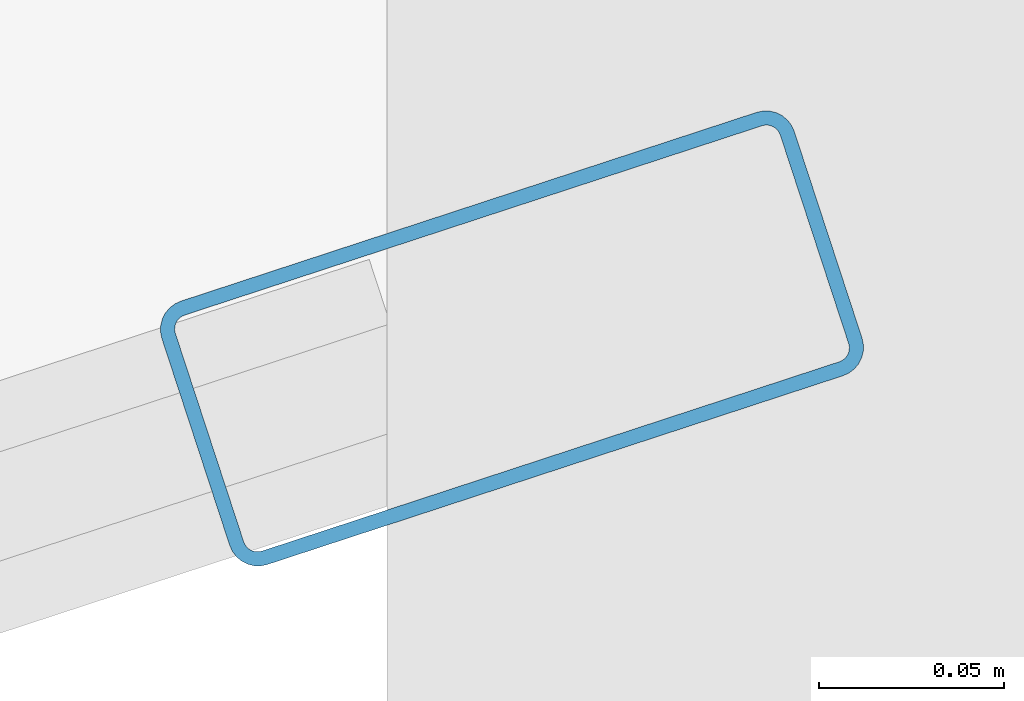
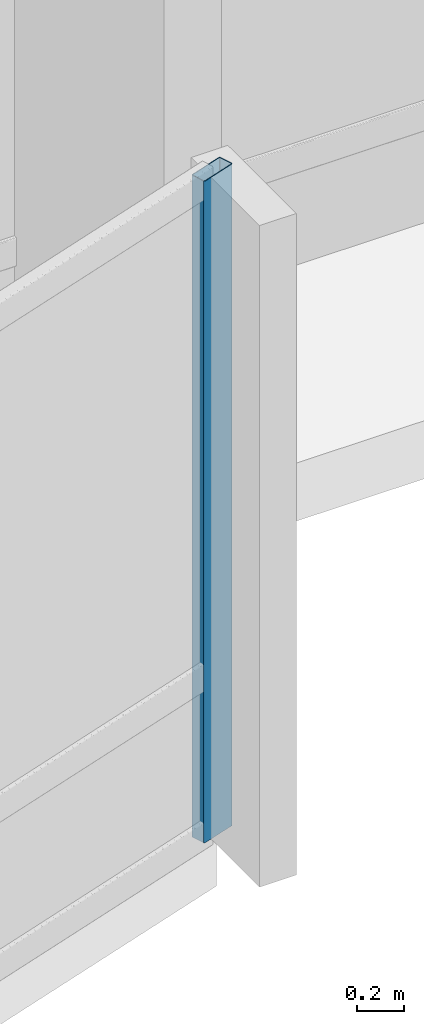
# One storey, part 10 of 34: 1 member, 1 element without a shape of its own.
"""IFC4 building model written with IfcOpenShell, lengths in metres."""

from ifc_helpers import new_model, si_unit, direction, frame, origin, origin_2d, place, context, subcontext, project, spatial, hollow_rectangle, extrude, material, layer, layer_set, material_profile, profile_set, type_object, element, aggregate, save


model = new_model("IFC4")

# Units and contexts
model_context = context("Model", 3, precision=1e-05, world=origin(), true_north=direction((0.0, 1.0)))
body_context = subcontext(model_context, "Body", "Model", "MODEL_VIEW")
ifc_project = project(units=[si_unit("LENGTHUNIT", "METRE"), si_unit("AREAUNIT", "SQUARE_METRE"), si_unit("VOLUMEUNIT", "CUBIC_METRE"), si_unit("PLANEANGLEUNIT", "RADIAN"), si_unit("MASSUNIT", "GRAM", prefix="KILO")], contexts=[model_context])

# Site, building, storey
site_placement = place(None, origin())
site = spatial("IfcSite", under=ifc_project, at=site_placement, CompositionType="ELEMENT")
building_placement = place(site_placement, origin())
building = spatial("IfcBuilding", under=site, at=building_placement, Name="Solvaryn Broadcast Tower", CompositionType="ELEMENT")
storey_placement = place(building_placement, frame((0.0, 0.0, 39.699951171875)))
storey = spatial("IfcBuildingStorey", under=building, at=storey_placement, Name="L08", CompositionType="ELEMENT", Elevation=39.699951171875)

# Curtain wall, member
ifc_material_1 = material(Name="Aluminium and Terracotta Unitised Curtain Wall", Category="masonry")
ifc_layer = layer(ifc_material_1, 0.199951171875)
ifc_layer_set = layer_set([ifc_layer], Name="CW-SYS2-LOWMID")
curtain_wall_type = type_object("IfcCurtainWallType", Name="CW-SYS2-LOWMID", PredefinedType="NOTDEFINED", material=ifc_layer_set)
curtain_wall_placement = place(storey_placement, origin())
curtain_wall = element("IfcCurtainWall", 1, at=curtain_wall_placement, inside=storey, type_object=curtain_wall_type, Name="L08 Curtain Wall DR4", PredefinedType="NOTDEFINED")
ifc_material_2 = material(Name="Anodised Aluminium 6063-T6", Category="aluminium")
ifc_material_profile = material_profile(ifc_material_2, hollow_rectangle(XDim=0.074951171875, YDim=0.179931640625, WallThickness=0.00390625, InnerFilletRadius=0.00390625, OuterFilletRadius=0.008056640625, at=origin_2d()))
ifc_profile_set = profile_set([ifc_material_profile], Name="Anodised Aluminium 6063-T6")
member_type = type_object("IfcMemberType", Name="CW-MUL-180", PredefinedType="MULLION", material=ifc_profile_set)
member_placement = place(storey_placement, frame((45.987548828125, 5.90673828125, 0.0), z_axis=(0.0, 0.0, 1.0), x_axis=(-0.311594044587, 0.950215318429, 0.0)))
member = element("IfcMember", 2, at=member_placement, type_object=member_type, Name="CWS2 mullion 2", PredefinedType="MULLION", context=body_context, shape_type="SweptSolid", body=[
    extrude(hollow_rectangle(XDim=0.074951171875, YDim=0.179931640625, WallThickness=0.00390625, InnerFilletRadius=0.00390625, OuterFilletRadius=0.008056640625, at=origin_2d()), origin(), (0.0, 0.0, 1.0), 3.420166015625),
])
aggregate(curtain_wall, [member])

save(model, "model.ifc")
